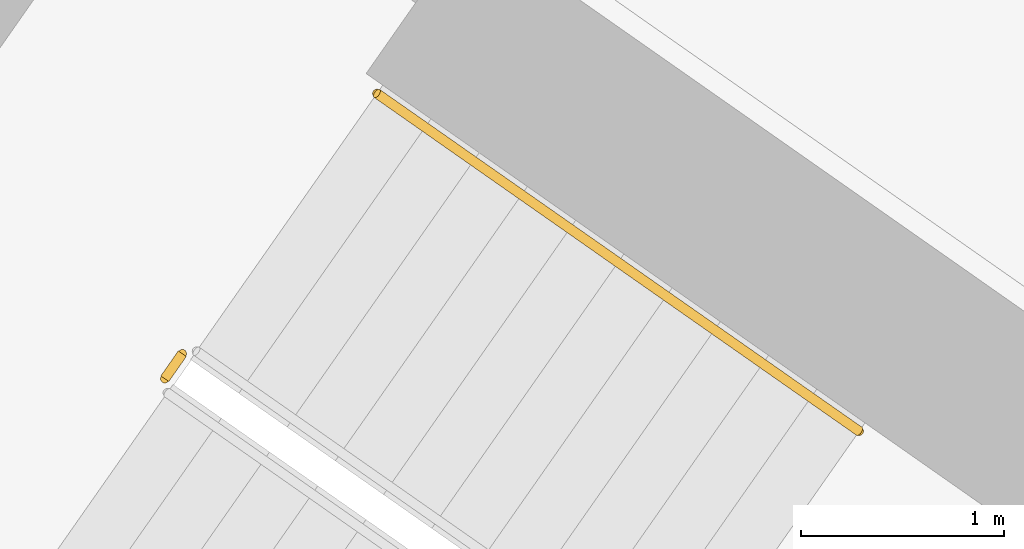
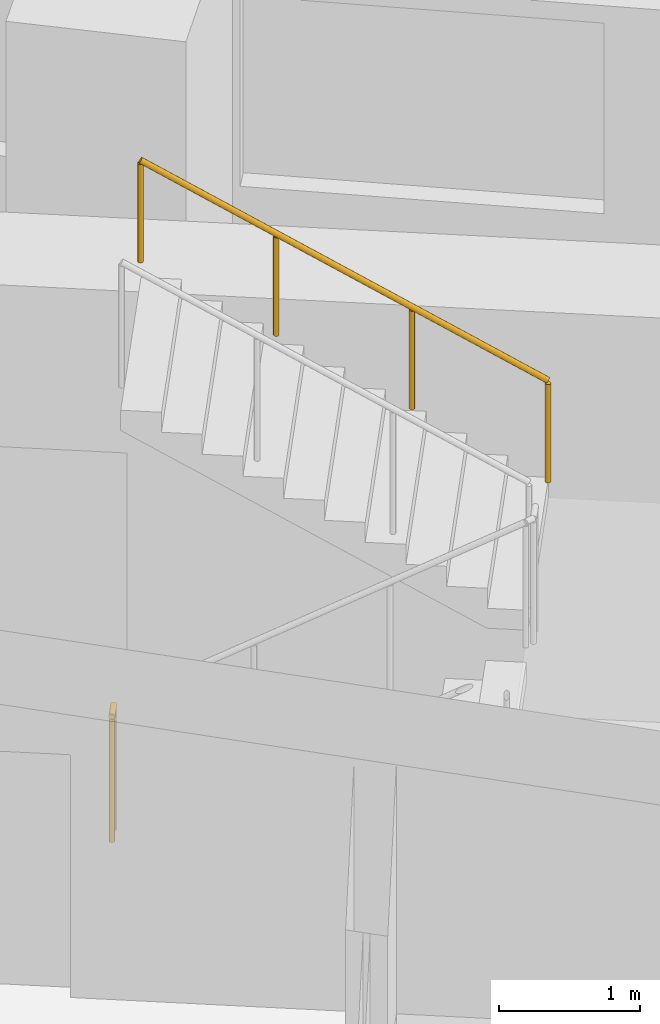
# One storey, part 29 of 32: 2 railings.
"""IFC4 building model written with IfcOpenShell, lengths in metres."""

from ifc_helpers import new_model, si_unit, direction, frame, origin, origin_2d, place, context, subcontext, project, spatial, circle, extrude, material, type_object, element, save


model = new_model("IFC4")

# Units and contexts
model_context = context("Model", 3, precision=1e-05, world=origin(), true_north=direction((0.0, 1.0)))
body_context = subcontext(model_context, "Body", "Model", "MODEL_VIEW")
ifc_project = project(units=[si_unit("LENGTHUNIT", "METRE"), si_unit("AREAUNIT", "SQUARE_METRE"), si_unit("VOLUMEUNIT", "CUBIC_METRE"), si_unit("PLANEANGLEUNIT", "RADIAN"), si_unit("MASSUNIT", "GRAM", prefix="KILO")], contexts=[model_context])

# Site, building, storey
site_placement = place(None, origin())
site = spatial("IfcSite", under=ifc_project, at=site_placement, CompositionType="ELEMENT")
building_placement = place(site_placement, origin())
building = spatial("IfcBuilding", under=site, at=building_placement, Name="Qamariyya Broadcast Tower", CompositionType="ELEMENT")
storey_placement = place(building_placement, frame((0.0, 0.0, 70.89990234375)))
storey = spatial("IfcBuildingStorey", under=building, at=storey_placement, Name="L14", CompositionType="ELEMENT", Elevation=70.89990234375)

# Railings
ifc_material_1 = material(Name="Painted steel", Category="steel")
railing_type_1 = type_object("IfcRailingType", Name="Stair guard", PredefinedType="GUARDRAIL", material=ifc_material_1)
railing_1_placement = place(storey_placement, frame((-41.158935546875, -48.455322265625, 0.0)))
element("IfcRailing", 1, at=railing_1_placement, inside=storey, type_object=railing_type_1, Name="L14 ST-W2 stair guard 3", PredefinedType="GUARDRAIL", context=body_context, shape_type="SweptSolid", body=[
    extrude(circle(Radius=0.02392578125, at=origin_2d()), frame((0.0, 0.0, 1.076171875), z_axis=(0.572588637393, 0.819842821722, 0.0), x_axis=(-0.819842821722, 0.572588637393, 0.0)), (0.0, 0.0, 1.0), 0.150146484375),
    extrude(circle(Radius=0.02099609375, at=origin_2d()), origin(), (0.0, 0.0, 1.0), 1.052001953125),
    extrude(circle(Radius=0.02099609375, at=origin_2d()), frame((0.0859375, 0.123046875, 0.0)), (0.0, 0.0, 1.0), 1.052001953125),
])
ifc_material_2 = material(Name="Stainless steel", Category="steel")
railing_type_2 = type_object("IfcRailingType", Name="Stair handrail", PredefinedType="HANDRAIL", material=ifc_material_2)
railing_2_placement = place(storey_placement, frame((-37.73876953125, -48.7138671875, 2.07275390625)))
element("IfcRailing", 2, at=railing_2_placement, inside=storey, type_object=railing_type_2, Name="L14 ST-W2 stair handrail 2", PredefinedType="HANDRAIL", context=body_context, shape_type="SweptSolid", body=[
    extrude(circle(Radius=0.02392578125, at=origin_2d()), frame((0.0, 0.0, 0.8759765625), z_axis=(-0.703745009021, 0.492838488332, 0.511715923826), x_axis=(-0.573631830683, -0.819113253969, 0.0)), (0.0, 0.0, 1.0), 3.37548828125),
    extrude(circle(Radius=0.02099609375, at=origin_2d()), origin(), (0.0, 0.0, 1.0), 0.851806640625),
    extrude(circle(Radius=0.02099609375, at=origin_2d()), frame((-0.791748046875, 0.554443359375, 0.57568359375)), (0.0, 0.0, 1.0), 0.851806640625),
    extrude(circle(Radius=0.02099609375, at=origin_2d()), frame((-1.583740234375, 1.109130859375, 1.151611328125)), (0.0, 0.0, 1.0), 0.851806640625),
    extrude(circle(Radius=0.02099609375, at=origin_2d()), frame((-2.37548828125, 1.66357421875, 1.727294921875)), (0.0, 0.0, 1.0), 0.851806640625),
])

save(model, "model.ifc")
